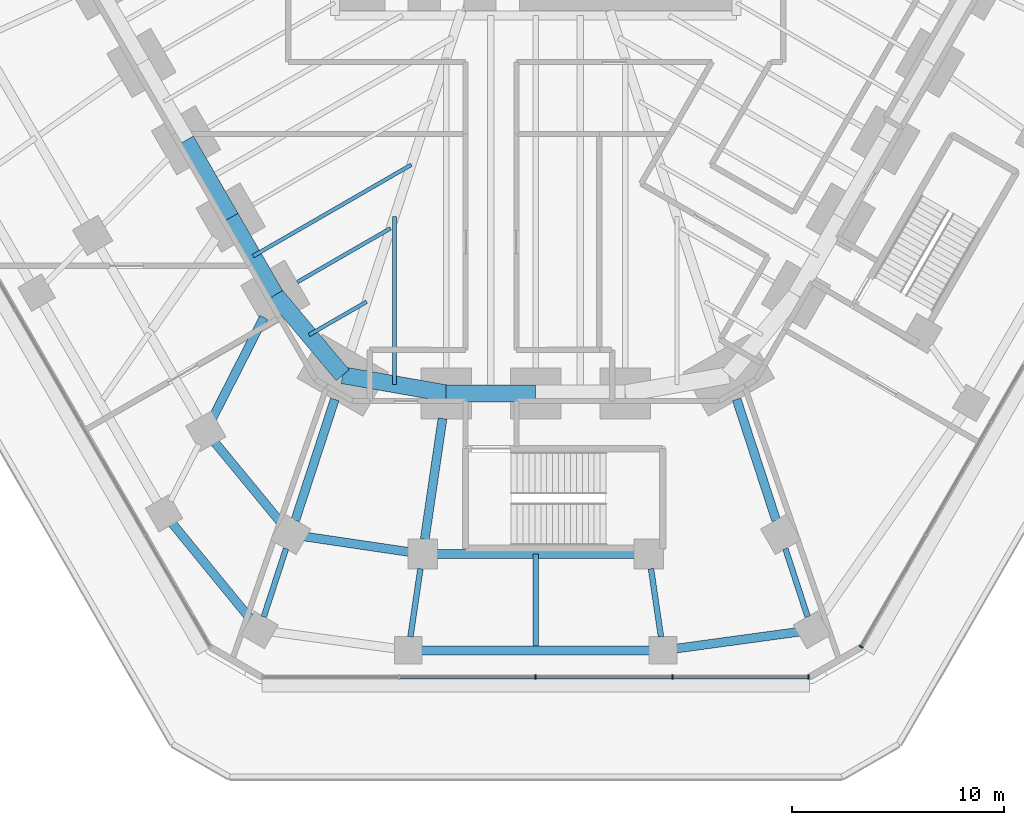
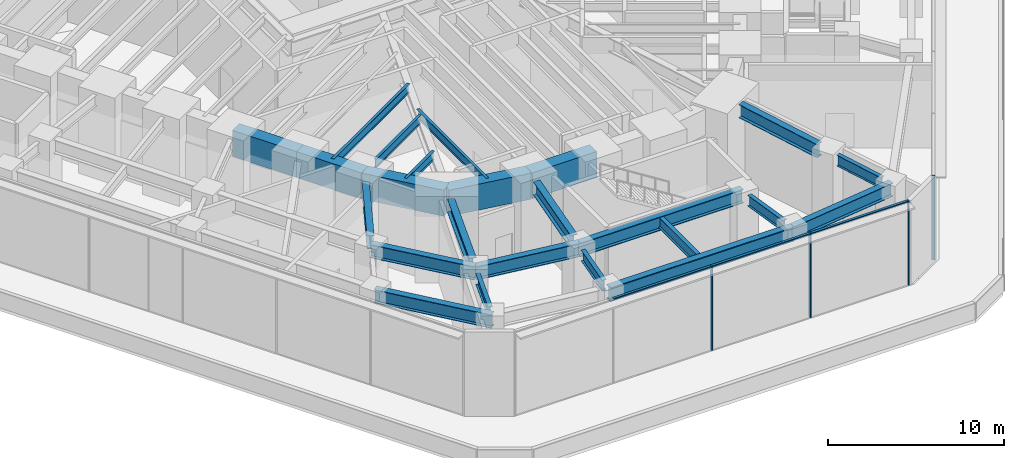
# One storey, part 3 of 25: 24 beams, 7 members, 2 elements without a shape of their own.
"""IFC4 building model written with IfcOpenShell, lengths in metres."""

from ifc_helpers import new_model, si_unit, direction, frame, origin, origin_2d, place, context, subcontext, project, spatial, rectangle, i_section, extrude, material, material_profile, profile_set, type_object, element, aggregate, save


model = new_model("IFC4")

# Units and contexts
model_context = context("Model", 3, precision=1e-05, world=origin(), true_north=direction((0.0, 1.0)))
body_context = subcontext(model_context, "Body", "Model", "MODEL_VIEW")
ifc_project = project(units=[si_unit("LENGTHUNIT", "METRE"), si_unit("AREAUNIT", "SQUARE_METRE"), si_unit("VOLUMEUNIT", "CUBIC_METRE"), si_unit("PLANEANGLEUNIT", "RADIAN"), si_unit("MASSUNIT", "GRAM", prefix="KILO")], contexts=[model_context])

# Site, building, storey
site_placement = place(None, origin())
site = spatial("IfcSite", under=ifc_project, at=site_placement, CompositionType="ELEMENT")
building_placement = place(site_placement, origin())
building = spatial("IfcBuilding", under=site, at=building_placement, Name="Sandreach Pilgrim Tower", CompositionType="ELEMENT")
storey_placement = place(building_placement, frame((0.0, 0.0, 6.0)))
storey = spatial("IfcBuildingStorey", under=building, at=storey_placement, Name="L01", CompositionType="ELEMENT", Elevation=6.0)

# Curtain wall, member
ifc_material_1 = material(Name="Aluminium framed curtain wall", Category="aluminium")
curtain_wall_type = type_object("IfcCurtainWallType", Name="Podium storefront curtain wall", PredefinedType="NOTDEFINED", material=ifc_material_1)
curtain_wall_1_placement = place(storey_placement, origin())
curtain_wall_1 = element("IfcCurtainWall", 1, at=curtain_wall_1_placement, inside=storey, type_object=curtain_wall_type, Name="CW-P L01 SE", PredefinedType="NOTDEFINED")
ifc_material_2 = material(Name="Aluminium extrusion", Category="aluminium")
ifc_material_profile_1 = material_profile(ifc_material_2, rectangle(XDim=0.070068359375, YDim=0.199951171875, at=origin_2d()), Name="CW-PM 70X200")
ifc_profile_set_1 = profile_set([ifc_material_profile_1], Name="Aluminium extrusion")
member_type_1 = type_object("IfcMemberType", Name="CW-P mullion", PredefinedType="MULLION", material=ifc_profile_set_1)
member_1_placement = place(storey_placement, frame((15.3525390625, -40.704833984375, 0.0), z_axis=(0.0, 0.0, 1.0), x_axis=(-0.5, -0.866025403784, 0.0)))
member_1 = element("IfcMember", 2, at=member_1_placement, type_object=member_type_1, Name="CW-P mullion 10", PredefinedType="MULLION", context=body_context, shape_type="SweptSolid", body=[
    extrude(rectangle(XDim=0.070068359375, YDim=0.199951171875, at=origin_2d()), origin(), (0.0, 0.0, 1.0), 5.840087890625),
])
aggregate(curtain_wall_1, [member_1])

# Curtain wall, members
curtain_wall_2_placement = place(storey_placement, origin())
curtain_wall_2 = element("IfcCurtainWall", 3, at=curtain_wall_2_placement, inside=storey, type_object=curtain_wall_type, Name="CW-P L01 S", PredefinedType="NOTDEFINED")
member_2_placement = place(storey_placement, frame((12.875244140625, -42.13525390625, 0.0), z_axis=(0.0, 0.0, 1.0), x_axis=(-1.0, 0.0, 0.0)))
member_2 = element("IfcMember", 4, at=member_2_placement, type_object=member_type_1, Name="CW-P mullion 1", PredefinedType="MULLION", context=body_context, shape_type="SweptSolid", body=[
    extrude(rectangle(XDim=0.070068359375, YDim=0.199951171875, at=origin_2d()), origin(), (0.0, 0.0, 1.0), 5.840087890625),
])
member_3_placement = place(storey_placement, frame((6.455078125, -42.13525390625, 0.0), z_axis=(0.0, 0.0, 1.0), x_axis=(-1.0, 0.0, 0.0)))
member_3 = element("IfcMember", 5, at=member_3_placement, type_object=member_type_1, Name="CW-P mullion 2", PredefinedType="MULLION", context=body_context, shape_type="SweptSolid", body=[
    extrude(rectangle(XDim=0.070068359375, YDim=0.199951171875, at=origin_2d()), origin(), (0.0, 0.0, 1.0), 5.840087890625),
])
member_4_placement = place(storey_placement, frame((0.0, -42.13525390625, 0.0), z_axis=(0.0, 0.0, 1.0), x_axis=(-1.0, 0.0, 0.0)))
member_4 = element("IfcMember", 6, at=member_4_placement, type_object=member_type_1, Name="CW-P mullion 3", PredefinedType="MULLION", context=body_context, shape_type="SweptSolid", body=[
    extrude(rectangle(XDim=0.070068359375, YDim=0.199951171875, at=origin_2d()), origin(), (0.0, 0.0, 1.0), 5.840087890625),
])
ifc_material_3 = material(Name="Aluminium extrusion", Category="aluminium")
ifc_material_profile_2 = material_profile(ifc_material_3, rectangle(XDim=0.159912109375, YDim=0.070068359375, at=origin_2d()), Name="CW-PT 160X70")
ifc_profile_set_2 = profile_set([ifc_material_profile_2], Name="Aluminium extrusion")
member_type_2 = type_object("IfcMemberType", Name="CW-P transom", PredefinedType="USERDEFINED", material=ifc_profile_set_2)
member_5_placement = place(storey_placement, frame((12.84033203125, -42.13525390625, 5.804931640625), z_axis=(-1.0, 0.0, 0.0), x_axis=(0.0, -1.0, 0.0)))
member_5 = element("IfcMember", 7, at=member_5_placement, type_object=member_type_2, Name="CW-P head transom 1", ObjectType="TRANSOM", PredefinedType="USERDEFINED", context=body_context, shape_type="SweptSolid", body=[
    extrude(rectangle(XDim=0.159912109375, YDim=0.070068359375, at=origin_2d()), origin(), (0.0, 0.0, 1.0), 6.350341796875),
])
member_6_placement = place(storey_placement, frame((6.420166015625, -42.13525390625, 5.804931640625), z_axis=(-1.0, 0.0, 0.0), x_axis=(0.0, -1.0, 0.0)))
member_6 = element("IfcMember", 8, at=member_6_placement, type_object=member_type_2, Name="CW-P head transom 2", ObjectType="TRANSOM", PredefinedType="USERDEFINED", context=body_context, shape_type="SweptSolid", body=[
    extrude(rectangle(XDim=0.159912109375, YDim=0.070068359375, at=origin_2d()), origin(), (0.0, 0.0, 1.0), 6.38525390625),
])
member_7_placement = place(storey_placement, frame((-0.034912109375, -42.13525390625, 5.804931640625), z_axis=(-1.0, 0.0, 0.0), x_axis=(0.0, -1.0, 0.0)))
member_7 = element("IfcMember", 9, at=member_7_placement, type_object=member_type_2, Name="CW-P head transom 3", ObjectType="TRANSOM", PredefinedType="USERDEFINED", context=body_context, shape_type="SweptSolid", body=[
    extrude(rectangle(XDim=0.159912109375, YDim=0.070068359375, at=origin_2d()), origin(), (0.0, 0.0, 1.0), 6.38525390625),
])
aggregate(curtain_wall_2, [member_2, member_3, member_4, member_5, member_6, member_7])

# Beams
ifc_material_4 = material(Name="Steel ASTM A992 Grade 50", Category="steel")
ifc_material_profile_3 = material_profile(ifc_material_4, i_section(OverallWidth=0.1787109375, OverallDepth=0.60205078125, WebThickness=0.010986328125, FlangeThickness=0.014892578125, at=origin_2d()), Name="W24X62")
ifc_profile_set_3 = profile_set([ifc_material_profile_3], Name="Steel ASTM A992 Grade 50")
beam_type_1 = type_object("IfcBeamType", Name="Floor beam W24X62", PredefinedType="BEAM", material=ifc_profile_set_3)
beam_1_placement = place(storey_placement, frame((-11.242431640625, -23.5048828125, 5.5390625), z_axis=(0.866027897259, 0.49999568115, 0.0), x_axis=(-0.49999568115, 0.866027897259, 0.0)))
element("IfcBeam", 10, at=beam_1_placement, inside=storey, type_object=beam_type_1, Name="BM L01 F27", PredefinedType="BEAM", context=body_context, shape_type="SweptSolid", body=[
    extrude(i_section(OverallWidth=0.1787109375, OverallDepth=0.60205078125, WebThickness=0.010986328125, FlangeThickness=0.014892578125, at=origin_2d()), origin(), (0.0, 0.0, 1.0), 5.0791015625),
])
beam_2_placement = place(storey_placement, frame((-6.664306640625, -28.323974609375, 5.5390625), z_axis=(0.0, 1.0, 0.0), x_axis=(-1.0, 0.0, 0.0)))
element("IfcBeam", 11, at=beam_2_placement, inside=storey, type_object=beam_type_1, Name="BM L01 FM25", PredefinedType="BEAM", context=body_context, shape_type="SweptSolid", body=[
    extrude(i_section(OverallWidth=0.1787109375, OverallDepth=0.60205078125, WebThickness=0.010986328125, FlangeThickness=0.014892578125, at=origin_2d()), origin(), (0.0, 0.0, 1.0), 7.907958984375),
])
beam_3_placement = place(storey_placement, frame((-10.694091796875, -26.0009765625, 5.5390625), z_axis=(0.866023718453, 0.500002919068, 0.0), x_axis=(-0.500002919068, 0.866023718453, 0.0)))
element("IfcBeam", 12, at=beam_3_placement, inside=storey, type_object=beam_type_1, Name="BM L01 FM26", PredefinedType="BEAM", context=body_context, shape_type="SweptSolid", body=[
    extrude(i_section(OverallWidth=0.1787109375, OverallDepth=0.60205078125, WebThickness=0.010986328125, FlangeThickness=0.014892578125, at=origin_2d()), origin(), (0.0, 0.0, 1.0), 3.1396484375),
])
beam_4_placement = place(storey_placement, frame((-13.334228515625, -22.281982421875, 5.5390625), z_axis=(0.86602717807, 0.499996926835, 0.0), x_axis=(-0.499996926835, 0.86602717807, 0.0)))
element("IfcBeam", 13, at=beam_4_placement, inside=storey, type_object=beam_type_1, Name="BM L01 FM27", PredefinedType="BEAM", context=body_context, shape_type="SweptSolid", body=[
    extrude(i_section(OverallWidth=0.1787109375, OverallDepth=0.60205078125, WebThickness=0.010986328125, FlangeThickness=0.014892578125, at=origin_2d()), origin(), (0.0, 0.0, 1.0), 8.62353515625),
])
ifc_material_5 = material(Name="Steel ASTM A992 Grade 50", Category="steel")
ifc_material_profile_4 = material_profile(ifc_material_5, i_section(OverallWidth=0.2666015625, OverallDepth=0.7568359375, WebThickness=0.013916015625, FlangeThickness=0.019287109375, at=origin_2d()), Name="W30X108")
ifc_profile_set_4 = profile_set([ifc_material_profile_4], Name="Steel ASTM A992 Grade 50")
beam_type_2 = type_object("IfcBeamType", Name="Podium beam W30X108", PredefinedType="BEAM", material=ifc_profile_set_4)
beam_5_placement = place(storey_placement, frame((11.775390625, -36.073486328125, 5.37158203125), z_axis=(0.310346008344, -0.950623666392, 0.0), x_axis=(0.950623666392, 0.310346008344, 0.0)))
element("IfcBeam", 14, at=beam_5_placement, inside=storey, type_object=beam_type_2, Name="BM L01 PR140-22", PredefinedType="BEAM", context=body_context, shape_type="SweptSolid", body=[
    extrude(i_section(OverallWidth=0.2666015625, OverallDepth=0.7568359375, WebThickness=0.013916015625, FlangeThickness=0.019287109375, at=origin_2d()), origin(), (0.0, 0.0, 1.0), 3.390625),
])
beam_6_placement = place(storey_placement, frame((5.436767578125, -37.021240234375, 5.37158203125), z_axis=(0.145338057228, -0.989382054174, 0.0), x_axis=(0.989382054174, 0.145338057228, 0.0)))
element("IfcBeam", 15, at=beam_6_placement, inside=storey, type_object=beam_type_2, Name="BM L01 PR140-23", PredefinedType="BEAM", context=body_context, shape_type="SweptSolid", body=[
    extrude(i_section(OverallWidth=0.2666015625, OverallDepth=0.7568359375, WebThickness=0.013916015625, FlangeThickness=0.019287109375, at=origin_2d()), origin(), (0.0, 0.0, 1.0), 3.245361328125),
])
beam_7_placement = place(storey_placement, frame((0.0, -36.340576171875, 5.37158203125), z_axis=(0.0, -1.0, 0.0), x_axis=(1.0, 0.0, 0.0)))
element("IfcBeam", 16, at=beam_7_placement, inside=storey, type_object=beam_type_2, Name="BM L01 PR140-24", PredefinedType="BEAM", context=body_context, shape_type="SweptSolid", body=[
    extrude(i_section(OverallWidth=0.2666015625, OverallDepth=0.7568359375, WebThickness=0.013916015625, FlangeThickness=0.019287109375, at=origin_2d()), origin(), (0.0, 0.0, 1.0), 4.3212890625),
])
beam_8_placement = place(storey_placement, frame((-5.436767578125, -37.021240234375, 5.37158203125), z_axis=(-0.145338057228, -0.989382054174, 0.0), x_axis=(0.989382054174, -0.145338057228, 0.0)))
element("IfcBeam", 17, at=beam_8_placement, inside=storey, type_object=beam_type_2, Name="BM L01 PR140-25", PredefinedType="BEAM", context=body_context, shape_type="SweptSolid", body=[
    extrude(i_section(OverallWidth=0.2666015625, OverallDepth=0.7568359375, WebThickness=0.013916015625, FlangeThickness=0.019287109375, at=origin_2d()), origin(), (0.0, 0.0, 1.0), 3.245361328125),
])
beam_9_placement = place(storey_placement, frame((-11.775390625, -36.073486328125, 5.37158203125), z_axis=(-0.310346008344, -0.950623666392, 0.0), x_axis=(0.950623666392, -0.310346008344, 0.0)))
element("IfcBeam", 18, at=beam_9_placement, inside=storey, type_object=beam_type_2, Name="BM L01 PR140-26", PredefinedType="BEAM", context=body_context, shape_type="SweptSolid", body=[
    extrude(i_section(OverallWidth=0.2666015625, OverallDepth=0.7568359375, WebThickness=0.013916015625, FlangeThickness=0.019287109375, at=origin_2d()), origin(), (0.0, 0.0, 1.0), 3.390625),
])
ifc_material_6 = material(Name="Steel ASTM A992 Grade 50", Category="steel")
ifc_material_profile_5 = material_profile(ifc_material_6, i_section(OverallWidth=0.419189453125, OverallDepth=0.927001953125, WebThickness=0.019287109375, FlangeThickness=0.031982421875, at=origin_2d()), Name="W36X231")
ifc_profile_set_5 = profile_set([ifc_material_profile_5], Name="Steel ASTM A992 Grade 50")
beam_type_3 = type_object("IfcBeamType", Name="Podium beam W36X231", PredefinedType="BEAM", material=ifc_profile_set_5)
beam_10_placement = place(storey_placement, frame((9.478759765625, -29.037841796875, 5.37646484375), z_axis=(0.310289989087, -0.950641952931, 0.0), x_axis=(0.950641952931, 0.310289989087, 0.0)))
element("IfcBeam", 19, at=beam_10_placement, inside=storey, type_object=beam_type_3, Name="BM L01 PR125-22", PredefinedType="BEAM", context=body_context, shape_type="SweptSolid", body=[
    extrude(i_section(OverallWidth=0.419189453125, OverallDepth=0.927001953125, WebThickness=0.019287109375, FlangeThickness=0.031982421875, at=origin_2d()), origin(), (0.0, 0.0, 1.0), 6.0009765625),
])
beam_11_placement = place(storey_placement, frame((-4.396728515625, -29.938232421875, 5.37646484375), z_axis=(-0.145284063583, -0.989389984217, 0.0), x_axis=(0.989389984217, -0.145284063583, 0.0)))
element("IfcBeam", 20, at=beam_11_placement, inside=storey, type_object=beam_type_3, Name="BM L01 PR125-25", PredefinedType="BEAM", context=body_context, shape_type="SweptSolid", body=[
    extrude(i_section(OverallWidth=0.419189453125, OverallDepth=0.927001953125, WebThickness=0.019287109375, FlangeThickness=0.031982421875, at=origin_2d()), origin(), (0.0, 0.0, 1.0), 5.7587890625),
])
beam_12_placement = place(storey_placement, frame((-9.478759765625, -29.037841796875, 5.37646484375), z_axis=(-0.310289989087, -0.950641952931, 0.0), x_axis=(0.950641952931, -0.310289989087, 0.0)))
element("IfcBeam", 21, at=beam_12_placement, inside=storey, type_object=beam_type_3, Name="BM L01 PR125-26", PredefinedType="BEAM", context=body_context, shape_type="SweptSolid", body=[
    extrude(i_section(OverallWidth=0.419189453125, OverallDepth=0.927001953125, WebThickness=0.019287109375, FlangeThickness=0.031982421875, at=origin_2d()), origin(), (0.0, 0.0, 1.0), 6.0009765625),
])
beam_13_placement = place(storey_placement, frame((-12.826416015625, -25.17431640625, 5.37646484375), z_axis=(-0.453982064466, -0.891010822125, 0.0), x_axis=(0.891010822125, -0.453982064466, 0.0)))
element("IfcBeam", 22, at=beam_13_placement, inside=storey, type_object=beam_type_3, Name="BM L01 PR125-27", PredefinedType="BEAM", context=body_context, shape_type="SweptSolid", body=[
    extrude(i_section(OverallWidth=0.419189453125, OverallDepth=0.927001953125, WebThickness=0.019287109375, FlangeThickness=0.031982421875, at=origin_2d()), origin(), (0.0, 0.0, 1.0), 5.328369140625),
])
ifc_material_7 = material(Name="Steel ASTM A992 Grade 50", Category="steel")
ifc_material_profile_6 = material_profile(ifc_material_7, i_section(OverallWidth=0.419189453125, OverallDepth=0.927001953125, WebThickness=0.019287109375, FlangeThickness=0.031982421875, at=origin_2d()), Name="W36X231")
ifc_profile_set_6 = profile_set([ifc_material_profile_6], Name="Steel ASTM A992 Grade 50")
beam_type_4 = type_object("IfcBeamType", Name="Podium edge beam W36X231", PredefinedType="BEAM", material=ifc_profile_set_6)
beam_14_placement = place(storey_placement, frame((-5.335205078125, -36.32861328125, 5.37646484375), z_axis=(-0.989232407401, 0.146353148743, 0.0), x_axis=(-0.146353148743, -0.989232407401, 0.0)))
element("IfcBeam", 23, at=beam_14_placement, inside=storey, type_object=beam_type_4, Name="BM L01 PE125-25", PredefinedType="BEAM", context=body_context, shape_type="SweptSolid", body=[
    extrude(i_section(OverallWidth=0.419189453125, OverallDepth=0.927001953125, WebThickness=0.019287109375, FlangeThickness=0.031982421875, at=origin_2d()), origin(), (0.0, 0.0, 1.0), 6.29052734375),
])
beam_15_placement = place(storey_placement, frame((-11.55810546875, -35.407958984375, 5.37646484375), z_axis=(-0.635790114851, 0.771861988867, 0.0), x_axis=(-0.771861988867, -0.635790114851, 0.0)))
element("IfcBeam", 24, at=beam_15_placement, inside=storey, type_object=beam_type_4, Name="BM L01 PE125-26", PredefinedType="BEAM", context=body_context, shape_type="SweptSolid", body=[
    extrude(i_section(OverallWidth=0.419189453125, OverallDepth=0.927001953125, WebThickness=0.019287109375, FlangeThickness=0.031982421875, at=origin_2d()), origin(), (0.0, 0.0, 1.0), 6.299560546875),
])
beam_16_placement = place(storey_placement, frame((13.029296875, -39.91455078125, 5.286376953125), z_axis=(-0.990781922529, -0.135466534578, 0.0), x_axis=(0.135466534578, -0.990781922529, 0.0)))
element("IfcBeam", 25, at=beam_16_placement, inside=storey, type_object=beam_type_4, Name="BM L01 PE140-22", PredefinedType="BEAM", context=body_context, shape_type="SweptSolid", body=[
    extrude(i_section(OverallWidth=0.419189453125, OverallDepth=0.927001953125, WebThickness=0.019287109375, FlangeThickness=0.031982421875, at=origin_2d()), origin(), (0.0, 0.0, 1.0), 7.091796875),
])
beam_17_placement = place(storey_placement, frame((-13.029296875, -39.91455078125, 5.286376953125), z_axis=(-0.633144313439, 0.774033770813, 0.0), x_axis=(-0.774033770813, -0.633144313439, 0.0)))
element("IfcBeam", 26, at=beam_17_placement, inside=storey, type_object=beam_type_4, Name="BM L01 PE140-26", PredefinedType="BEAM", context=body_context, shape_type="SweptSolid", body=[
    extrude(i_section(OverallWidth=0.419189453125, OverallDepth=0.927001953125, WebThickness=0.019287109375, FlangeThickness=0.031982421875, at=origin_2d()), origin(), (0.0, 0.0, 1.0), 7.111572265625),
])
ifc_material_8 = material(Name="Steel ASTM A992 Grade 50", Category="steel")
ifc_material_profile_7 = material_profile(ifc_material_8, i_section(OverallWidth=0.424072265625, OverallDepth=0.947509765625, WebThickness=0.02392578125, FlangeThickness=0.042724609375, at=origin_2d()), Name="W36X302")
ifc_profile_set_7 = profile_set([ifc_material_profile_7], Name="Steel ASTM A992 Grade 50")
beam_type_5 = type_object("IfcBeamType", Name="Podium edge beam W36X302", PredefinedType="BEAM", material=ifc_profile_set_7)
beam_18_placement = place(storey_placement, frame((5.335205078125, -36.32861328125, 5.3662109375), z_axis=(-1.0, 0.0, 0.0), x_axis=(0.0, -1.0, 0.0)))
element("IfcBeam", 27, at=beam_18_placement, inside=storey, type_object=beam_type_5, Name="BM L01 PE125-23", PredefinedType="BEAM", context=body_context, shape_type="SweptSolid", body=[
    extrude(i_section(OverallWidth=0.424072265625, OverallDepth=0.947509765625, WebThickness=0.02392578125, FlangeThickness=0.042724609375, at=origin_2d()), origin(), (0.0, 0.0, 1.0), 10.67041015625),
])
ifc_material_9 = material(Name="Steel ASTM A992 Grade 50", Category="steel")
ifc_material_profile_8 = material_profile(ifc_material_9, i_section(OverallWidth=0.4267578125, OverallDepth=0.975341796875, WebThickness=0.031005859375, FlangeThickness=0.055908203125, at=origin_2d()), Name="W36X395")
ifc_profile_set_8 = profile_set([ifc_material_profile_8], Name="Steel ASTM A992 Grade 50")
beam_type_6 = type_object("IfcBeamType", Name="Podium edge beam W36X395", PredefinedType="BEAM", material=ifc_profile_set_8)
beam_19_placement = place(storey_placement, frame((6.0029296875, -40.875244140625, 5.26220703125), z_axis=(-1.0, 0.0, 0.0), x_axis=(0.0, -1.0, 0.0)))
element("IfcBeam", 28, at=beam_19_placement, inside=storey, type_object=beam_type_6, Name="BM L01 PE140-23", PredefinedType="BEAM", context=body_context, shape_type="SweptSolid", body=[
    extrude(i_section(OverallWidth=0.4267578125, OverallDepth=0.975341796875, WebThickness=0.031005859375, FlangeThickness=0.055908203125, at=origin_2d()), origin(), (0.0, 0.0, 1.0), 12.005859375),
])
ifc_material_10 = material(Name="Concrete 10000 psi", Category="concrete")
ifc_material_profile_9 = material_profile(ifc_material_10, rectangle(XDim=0.800048828125, YDim=1.800048828125, at=origin_2d()), Name="RC800X1800")
ifc_profile_set_9 = profile_set([ifc_material_profile_9], Name="Concrete 10000 psi")
beam_type_7 = type_object("IfcBeamType", Name="Spandrel beam RC800X1800", PredefinedType="SPANDREL", material=ifc_profile_set_9)
beam_20_placement = place(storey_placement, frame((0.0, -28.7509765625, 4.93994140625), z_axis=(-1.0, 0.0, 0.0), x_axis=(0.0, -1.0, 0.0)))
element("IfcBeam", 29, at=beam_20_placement, inside=storey, type_object=beam_type_7, Name="BM L01 SP24", PredefinedType="SPANDREL", context=body_context, shape_type="SweptSolid", body=[
    extrude(rectangle(XDim=0.800048828125, YDim=1.800048828125, at=origin_2d()), origin(), (0.0, 0.0, 1.0), 4.222412109375),
])
beam_21_placement = place(storey_placement, frame((-4.222412109375, -28.7509765625, 4.93994140625), z_axis=(-0.985054495501, 0.17224297052, 0.0), x_axis=(-0.17224297052, -0.985054495501, 0.0)))
element("IfcBeam", 30, at=beam_21_placement, inside=storey, type_object=beam_type_7, Name="BM L01 SP25", PredefinedType="SPANDREL", context=body_context, shape_type="SweptSolid", body=[
    extrude(rectangle(XDim=0.800048828125, YDim=1.800048828125, at=origin_2d()), origin(), (0.0, 0.0, 1.0), 4.958251953125),
])
beam_22_placement = place(storey_placement, frame((-9.1064453125, -27.89697265625, 4.93994140625), z_axis=(-0.642008193922, 0.766697775488, 0.0), x_axis=(-0.766697775488, -0.642008193922, 0.0)))
element("IfcBeam", 31, at=beam_22_placement, inside=storey, type_object=beam_type_7, Name="BM L01 SP26", PredefinedType="SPANDREL", context=body_context, shape_type="SweptSolid", body=[
    extrude(rectangle(XDim=0.800048828125, YDim=1.800048828125, at=origin_2d()), origin(), (0.0, 0.0, 1.0), 4.94580078125),
])
beam_23_placement = place(storey_placement, frame((-12.28173828125, -24.10498046875, 4.93994140625), z_axis=(-0.499993523031, 0.866029143232, 0.0), x_axis=(-0.866029143232, -0.499993523031, 0.0)))
element("IfcBeam", 32, at=beam_23_placement, inside=storey, type_object=beam_type_7, Name="BM L01 SP27", PredefinedType="SPANDREL", context=body_context, shape_type="SweptSolid", body=[
    extrude(rectangle(XDim=0.800048828125, YDim=1.800048828125, at=origin_2d()), origin(), (0.0, 0.0, 1.0), 4.2099609375),
])
beam_24_placement = place(storey_placement, frame((-14.38671875, -20.458984375, 4.93994140625), z_axis=(-0.499975138639, 0.866039757022, 0.0), x_axis=(-0.866039757022, -0.499975138639, 0.0)))
element("IfcBeam", 33, at=beam_24_placement, inside=storey, type_object=beam_type_7, Name="BM L01 SP28", PredefinedType="SPANDREL", context=body_context, shape_type="SweptSolid", body=[
    extrude(rectangle(XDim=0.800048828125, YDim=1.800048828125, at=origin_2d()), origin(), (0.0, 0.0, 1.0), 4.209716796875),
])

save(model, "model.ifc")
